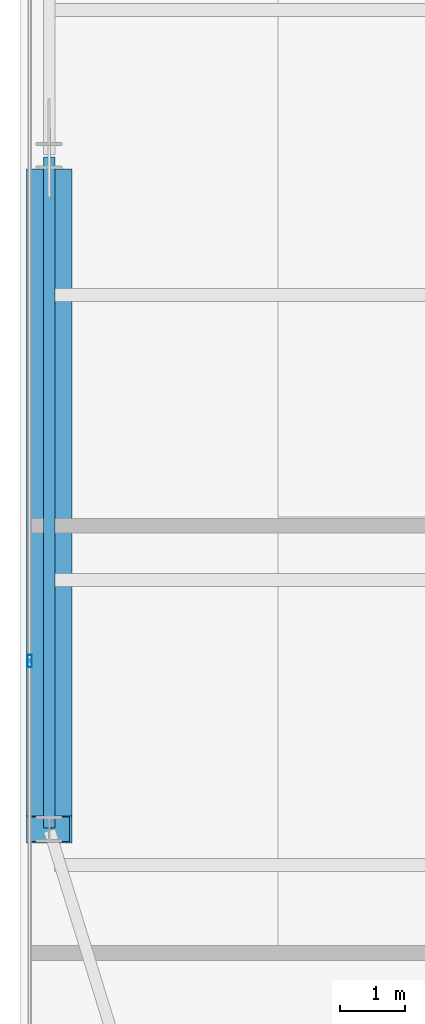
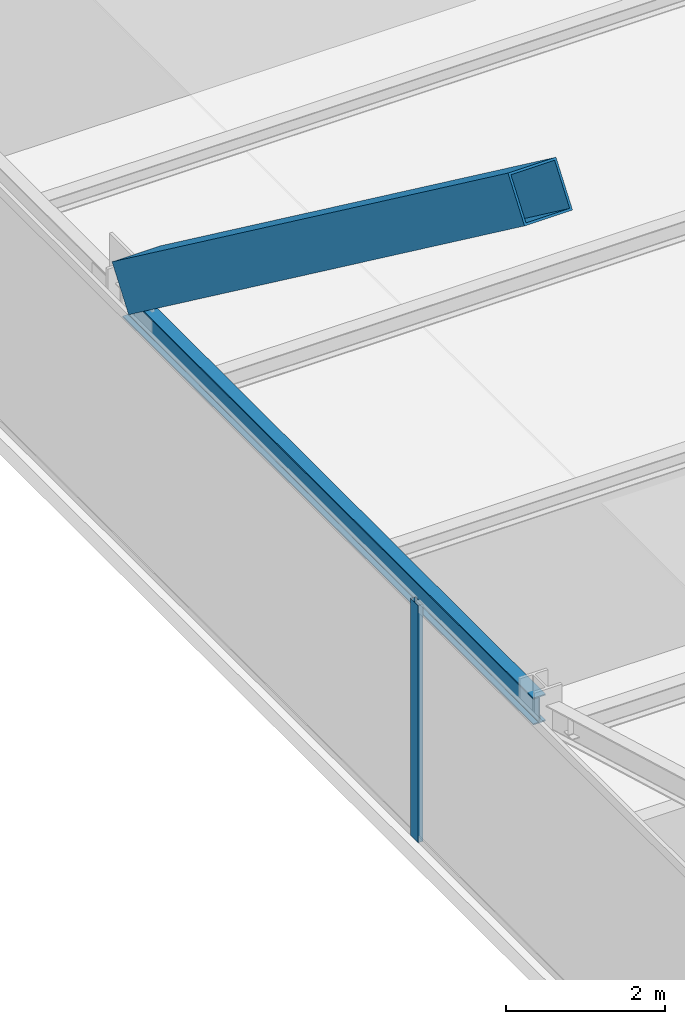
# One storey, part 8 of 34: 2 members, 1 beam, 1 element without a shape of its own.
"""IFC4 building model written with IfcOpenShell, lengths in metres."""

import ifcopenshell
import ifcopenshell.guid

model = None  # the IFC model being written
_history = None  # IfcOwnerHistory: only IFC2X3 demands one
_inside = {}  # id of a spatial element -> (the spatial element, [elements in it])
_under = {}  # id of a project, library or spatial element -> (it, [spatial elements below it])
_declared = {}  # id of a project -> (the project, [libraries it declares])
_typed = {}  # id of a type object -> (the type object, [elements of that type])
_made_of = {}  # id of a material, layer set ... -> (it, [elements and type objects made of it])


def new_model(schema):
    """Start an empty IFC model of exactly this schema.

    Asked for "IFC4X3", IfcOpenShell would pick the latest addendum, in which some entities
    have other attributes; the version numbers below select the first issue.
    IFC2X3 requires an IfcOwnerHistory on every rooted entity: one is made here for all.
    """
    global model, _history
    if schema == "IFC4X3":
        model = ifcopenshell.file(schema_version=(4, 3, 0, 0))
    else:
        model = ifcopenshell.file(schema=schema)
    _inside.clear()
    _under.clear()
    _declared.clear()
    _typed.clear()
    _made_of.clear()
    _history = None
    if model.schema == "IFC2X3":
        org = make("IfcOrganization", Name="unknown")
        user = make(
            "IfcPersonAndOrganization",
            ThePerson=make("IfcPerson", FamilyName="unknown"),
            TheOrganization=org,
        )
        app = make(
            "IfcApplication",
            ApplicationDeveloper=org,
            Version="unknown",
            ApplicationFullName="unknown",
            ApplicationIdentifier="unknown",
        )
        _history = make(
            "IfcOwnerHistory",
            OwningUser=user,
            OwningApplication=app,
            ChangeAction="ADDED",
            CreationDate=0,
        )
    return model


def make(cls, **values):
    """One entity of the class cls with the attributes given. An attribute that is None is left unset."""
    return model.create_entity(
        cls, **{name: value for name, value in values.items() if value is not None}
    )


def rooted(cls, **values):
    """An entity with a GlobalId (a new one), such as an element, a storey or a relation."""
    return make(cls, GlobalId=ifcopenshell.guid.new(), OwnerHistory=_history, **values)


def si_unit(unit_type, name, prefix=None):
    """IfcSIUnit, for example si_unit("LENGTHUNIT", "METRE", prefix="MILLI")."""
    return make("IfcSIUnit", UnitType=unit_type, Prefix=prefix, Name=name)


def assignment(units):
    """IfcUnitAssignment: the units of a project."""
    return None if units is None else make("IfcUnitAssignment", Units=units)


def point(xyz):
    """IfcCartesianPoint."""
    return None if xyz is None else make("IfcCartesianPoint", Coordinates=xyz)


def direction(xyz):
    """IfcDirection."""
    return None if xyz is None else make("IfcDirection", DirectionRatios=xyz)


def frame(location, z_axis=None, x_axis=None):
    """IfcAxis2Placement3D, a coordinate frame: its origin and axes. An axis left out is left unset."""
    return make(
        "IfcAxis2Placement3D",
        Location=point(location),
        Axis=direction(z_axis),
        RefDirection=direction(x_axis),
    )


def frame_2d(location, x_axis=None):
    """IfcAxis2Placement2D, a coordinate frame in the plane: its origin and x axis."""
    return make(
        "IfcAxis2Placement2D", Location=point(location), RefDirection=direction(x_axis)
    )


def origin():
    """The frame at (0, 0, 0) with its axes left unset."""
    return frame((0.0, 0.0, 0.0))


def origin_2d():
    """The frame at (0, 0) in the plane with its x axis left unset."""
    return frame_2d((0.0, 0.0))


def place(relative_to, where):
    """IfcLocalPlacement: puts the frame where relative to a parent placement (None: the world)."""
    return make(
        "IfcLocalPlacement", PlacementRelTo=relative_to, RelativePlacement=where
    )


def context(
    kind, dimensions, precision=None, world=None, true_north=None, identifier=None
):
    """IfcGeometricRepresentationContext, for example the 3D "Model" context."""
    return make(
        "IfcGeometricRepresentationContext",
        ContextIdentifier=identifier,
        ContextType=kind,
        CoordinateSpaceDimension=dimensions,
        Precision=precision,
        WorldCoordinateSystem=world,
        TrueNorth=true_north,
    )


def subcontext(parent, identifier, kind, view, scale=None):
    """IfcGeometricRepresentationSubContext, for example "Body" below "Model"."""
    return make(
        "IfcGeometricRepresentationSubContext",
        ContextIdentifier=identifier,
        ContextType=kind,
        ParentContext=parent,
        TargetScale=scale,
        TargetView=view,
    )


def project(units=None, contexts=None):
    """IfcProject with its units and contexts."""
    return rooted(
        "IfcProject",
        Name="project",
        RepresentationContexts=contexts,
        UnitsInContext=assignment(units),
    )


def spatial(cls, under=None, at=None, **own):
    """A site, building, storey or space (cls), placed at a placement, below another one or the project."""
    s = rooted(cls, ObjectPlacement=at, **own)
    if under is not None:
        _under.setdefault(under.id(), (under, []))[1].append(s)
    return s


def profile(cls, at=None, kind="AREA", **sizes):
    """A parametric profile (cls). Its sizes go by their IFC names, for example OverallWidth=200.0."""
    return make(cls, ProfileType=kind, Position=at, **sizes)


def hollow_rectangle(**sizes):
    """IfcRectangleHollowProfileDef."""
    return profile("IfcRectangleHollowProfileDef", **sizes)


def i_section(**sizes):
    """IfcIShapeProfileDef."""
    return profile("IfcIShapeProfileDef", **sizes)


def extrude(swept, where, along, depth):
    """IfcExtrudedAreaSolid: the profile swept, set in the frame where, extruded along a direction by depth."""
    return make(
        "IfcExtrudedAreaSolid",
        SweptArea=swept,
        Position=where,
        ExtrudedDirection=direction(along),
        Depth=depth,
    )


def shape(context_of_items, identifier, shape_type, items):
    """IfcShapeRepresentation: the items that make up one representation, for example the "Body"."""
    return make(
        "IfcShapeRepresentation",
        ContextOfItems=context_of_items,
        RepresentationIdentifier=identifier,
        RepresentationType=shape_type,
        Items=items,
    )


def source(mapping_origin, context_of_items, identifier, shape_type, items):
    """IfcRepresentationMap: a shape defined once, which mapped items show again and again."""
    return make(
        "IfcRepresentationMap",
        MappingOrigin=mapping_origin,
        MappedRepresentation=shape(context_of_items, identifier, shape_type, items),
    )


def transform(
    local_origin,
    x_axis=None,
    y_axis=None,
    z_axis=None,
    scale=None,
    scale2=None,
    scale3=None,
    uniform=True,
):
    """IfcCartesianTransformationOperator3D, or its non-uniform kind. x_axis, y_axis, z_axis: its Axis1, 2, 3."""
    if uniform:
        return make(
            "IfcCartesianTransformationOperator3D",
            Axis1=direction(x_axis),
            Axis2=direction(y_axis),
            LocalOrigin=point(local_origin),
            Scale=scale,
            Axis3=direction(z_axis),
        )
    return make(
        "IfcCartesianTransformationOperator3DnonUniform",
        Axis1=direction(x_axis),
        Axis2=direction(y_axis),
        LocalOrigin=point(local_origin),
        Scale=scale,
        Axis3=direction(z_axis),
        Scale2=scale2,
        Scale3=scale3,
    )


def mapped(mapping_source, mapping_target):
    """IfcMappedItem: shows the shape of a source again, moved by a transform."""
    return make(
        "IfcMappedItem", MappingSource=mapping_source, MappingTarget=mapping_target
    )


def material(Name=None, Category=None):
    """IfcMaterial."""
    return make("IfcMaterial", Name=Name, Category=Category)


def layer(
    of_material, thickness, ventilated=None, Name=None, Category=None, Priority=None
):
    """IfcMaterialLayer: one layer of a wall or slab, of a material (None: an air gap)."""
    return make(
        "IfcMaterialLayer",
        Material=of_material,
        LayerThickness=thickness,
        IsVentilated=ventilated,
        Name=Name,
        Category=Category,
        Priority=Priority,
    )


def layer_set(layers, Name=None):
    """IfcMaterialLayerSet."""
    return make("IfcMaterialLayerSet", MaterialLayers=layers, LayerSetName=Name)


def material_profile(
    of_material, cross_section, Name=None, Category=None, Priority=None
):
    """IfcMaterialProfile: a cross section and its material."""
    return make(
        "IfcMaterialProfile",
        Name=Name,
        Material=of_material,
        Profile=cross_section,
        Priority=Priority,
        Category=Category,
    )


def profile_set(profiles, Name=None, composite=None):
    """IfcMaterialProfileSet."""
    return make(
        "IfcMaterialProfileSet",
        Name=Name,
        MaterialProfiles=profiles,
        CompositeProfile=composite,
    )


def made_of(thing, what):
    """Note that an element or type object is made of a material, layer set ...; save() writes the relation."""
    if what is not None:
        _made_of.setdefault(what.id(), (what, []))[1].append(thing)
    return thing


def type_object(cls, material=None, **own):
    """A type object (cls), such as IfcWallType, which elements share."""
    return made_of(rooted(cls, **own), material)


def type_shapes(of_type, sources):
    """Give a type object the sources (RepresentationMaps) that its elements show as mapped items."""
    of_type.RepresentationMaps = sources


def element(
    cls,
    number,
    at=None,
    inside=None,
    cuts=None,
    type_object=None,
    material=None,
    context=None,
    identifier="Body",
    shape_type=None,
    held_by="IfcProductDefinitionShape",
    body=None,
    shapes=None,
    **own,
):
    """One element of the class cls, such as IfcWall. Its Tag is "e" and its number.

    at: its placement. inside: the storey or other place that contains it. cuts: it is an
    opening in that element (IfcRelVoidsElement). A single representation is given by context,
    identifier, shape_type and body (its items); several are given by shapes. held_by: the class
    of the entity that holds the representations. save() writes the other relations.
    """
    e = rooted(cls, Tag="e%d" % number, ObjectPlacement=at, **own)
    if body is not None:
        shapes = [shape(context, identifier, shape_type, body)]
    if shapes is not None:
        e.Representation = make(held_by, Representations=shapes)
    if inside is not None:
        _inside.setdefault(inside.id(), (inside, []))[1].append(e)
    if cuts is not None:
        rooted(
            "IfcRelVoidsElement", RelatingBuildingElement=cuts, RelatedOpeningElement=e
        )
    if type_object is not None:
        _typed.setdefault(type_object.id(), (type_object, []))[1].append(e)
    return made_of(e, material)


def aggregate(whole, parts):
    """IfcRelAggregates: a whole, such as a stair, and the parts it consists of."""
    return rooted("IfcRelAggregates", RelatingObject=whole, RelatedObjects=parts)


def save(model, path):
    """Write the relations noted so far, then the file.

    IfcRelAggregates (storeys below a building ...), IfcRelContainedInSpatialStructure (elements
    in a storey), IfcRelDefinesByType, IfcRelAssociatesMaterial and IfcRelDeclares: one each for
    every whole, place, type object, material and project.
    """
    for whole, parts in _under.values():
        aggregate(whole, parts)
    for where, things in _inside.values():
        rooted(
            "IfcRelContainedInSpatialStructure",
            RelatedElements=things,
            RelatingStructure=where,
        )
    for kind, things in _typed.values():
        rooted("IfcRelDefinesByType", RelatedObjects=things, RelatingType=kind)
    for what, things in _made_of.values():
        rooted("IfcRelAssociatesMaterial", RelatedObjects=things, RelatingMaterial=what)
    for by, libraries in _declared.values():
        rooted("IfcRelDeclares", RelatingContext=by, RelatedDefinitions=libraries)
    model.write(path)


model = new_model("IFC4")

# Units and contexts
model_context = context("Model", 3, precision=1e-05, world=origin(), true_north=direction((0.0, 1.0)))
body_context = subcontext(model_context, "Body", "Model", "MODEL_VIEW")
ifc_project = project(units=[si_unit("LENGTHUNIT", "METRE"), si_unit("AREAUNIT", "SQUARE_METRE"), si_unit("VOLUMEUNIT", "CUBIC_METRE"), si_unit("PLANEANGLEUNIT", "RADIAN"), si_unit("MASSUNIT", "GRAM", prefix="KILO")], contexts=[model_context])

# Site, building, storey
site_placement = place(None, origin())
site = spatial("IfcSite", under=ifc_project, at=site_placement, CompositionType="ELEMENT")
building_placement = place(site_placement, origin())
building = spatial("IfcBuilding", under=site, at=building_placement, Name="Varnel Quay Broadcast Tower", CompositionType="ELEMENT")
storey_placement = place(building_placement, frame((0.0, 0.0, 47.10009765625)))
storey = spatial("IfcBuildingStorey", under=building, at=storey_placement, Name="L10", CompositionType="ELEMENT", Elevation=47.10009765625)

# Beam
ifc_material_1 = material(Name="Structural Steel CSA G40.21 350W", Category="steel")
ifc_material_profile_1 = material_profile(ifc_material_1, i_section(OverallWidth=0.180908203125, OverallDepth=0.4169921875, WebThickness=0.010986328125, FlangeThickness=0.018310546875, FilletRadius=0.011962890625, at=origin_2d()), Name="W410X85")
ifc_profile_set_1 = profile_set([ifc_material_profile_1], Name="Structural Steel CSA G40.21 350W")
beam_type = type_object("IfcBeamType", Name="Beam_W410X85", PredefinedType="SPANDREL", material=ifc_profile_set_1)
shared_shape_1 = source(origin(), body_context, "Body", "SweptSolid", [
    extrude(i_section(OverallWidth=0.180908203125, OverallDepth=0.4169921875, WebThickness=0.010986328125, FlangeThickness=0.018310546875, FilletRadius=0.011962890625, at=origin_2d()), origin(), (0.0, 0.0, 1.0), 10.35986328125),
])
type_shapes(beam_type, [shared_shape_1])
beam_placement = place(storey_placement, frame((2.449951171875, 15.02001953125, 3.44140625), z_axis=(0.0, 1.0, 0.0), x_axis=(-1.0, 0.0, 0.0)))
element("IfcBeam", 1, at=beam_placement, inside=storey, type_object=beam_type, Name="L10 West Spandrel TC-W1-TC-W2", PredefinedType="SPANDREL", context=body_context, shape_type="MappedRepresentation", body=[
    mapped(shared_shape_1, transform((0.0, 0.0, 0.0), x_axis=(1.0, 0.0, 0.0), y_axis=(0.0, 1.0, 0.0), z_axis=(0.0, 0.0, 1.0), scale=1.0)),
])

# Member
ifc_material_2 = material(Name="Structural Steel CSA G40.21 350WT", Category="steel")
ifc_material_profile_2 = material_profile(ifc_material_2, hollow_rectangle(XDim=0.699951171875, YDim=0.699951171875, WallThickness=0.031982421875, at=origin_2d()), Name="BOX700X700X32")
ifc_profile_set_2 = profile_set([ifc_material_profile_2], Name="Structural Steel CSA G40.21 350WT")
member_type_1 = type_object("IfcMemberType", Name="Brace_BOX700X700X32", PredefinedType="BRACE", material=ifc_profile_set_2)
shared_shape_2 = source(origin(), body_context, "Body", "SweptSolid", [
    extrude(hollow_rectangle(XDim=0.699951171875, YDim=0.699951171875, WallThickness=0.031982421875, at=origin_2d()), origin(), (0.0, 0.0, 1.0), 12.442626953125),
])
type_shapes(member_type_1, [shared_shape_2])
member_1_placement = place(storey_placement, frame((2.449951171875, 24.986572265625, 4.0078125), z_axis=(0.0, -0.802608305206, 0.596506419425), x_axis=(1.0, 0.0, 0.0)))
element("IfcMember", 2, at=member_1_placement, inside=storey, type_object=member_type_1, Name="Zone 1 Mega-Brace W-FT2 Split Diag B2", PredefinedType="BRACE", context=body_context, shape_type="MappedRepresentation", body=[
    mapped(shared_shape_2, transform((0.0, 0.0, 0.0), x_axis=(1.0, 0.0, 0.0), y_axis=(0.0, 1.0, 0.0), z_axis=(0.0, 0.0, 1.0), scale=1.0)),
])

# Curtain wall, member
ifc_material_3 = material(Name="Anodised Bronze Aluminium 6063-T6", Category="aluminium")
ifc_layer = layer(ifc_material_3, 0.18994140625, Name="Anodised Bronze Aluminium 6063-T6")
ifc_layer_set = layer_set([ifc_layer], Name="Anodised Bronze Aluminium 6063-T6")
curtain_wall_type = type_object("IfcCurtainWallType", Name="CW_LowerTower", PredefinedType="NOTDEFINED", material=ifc_layer_set)
curtain_wall_placement = place(storey_placement, origin())
curtain_wall = element("IfcCurtainWall", 3, at=curtain_wall_placement, inside=storey, type_object=curtain_wall_type, Name="L10 West Unitised Curtain Wall", PredefinedType="NOTDEFINED")
ifc_material_profile_3 = material_profile(ifc_material_3, hollow_rectangle(XDim=0.070068359375, YDim=0.18994140625, WallThickness=0.00390625, at=origin_2d()), Name="ALU70X190X4")
ifc_profile_set_3 = profile_set([ifc_material_profile_3], Name="Anodised Bronze Aluminium 6063-T6")
member_type_2 = type_object("IfcMemberType", Name="Mull_CWS-02", PredefinedType="MULLION", material=ifc_profile_set_3)
shared_shape_3 = source(origin(), body_context, "Body", "SweptSolid", [
    extrude(hollow_rectangle(XDim=0.070068359375, YDim=0.18994140625, WallThickness=0.00390625, at=origin_2d()), origin(), (0.0, 0.0, 1.0), 3.64990234375),
])
type_shapes(member_type_2, [shared_shape_3])
member_2_placement = place(storey_placement, frame((2.14990234375, 17.60009765625, 0.0), z_axis=(0.0, 0.0, 1.0), x_axis=(-1.0, 0.0, 0.0)))
member_2 = element("IfcMember", 4, at=member_2_placement, type_object=member_type_2, Name="CWS-02 mullion 2", PredefinedType="MULLION", context=body_context, shape_type="MappedRepresentation", body=[
    mapped(shared_shape_3, transform((0.0, 0.0, 0.0), x_axis=(1.0, 0.0, 0.0), y_axis=(0.0, 1.0, 0.0), z_axis=(0.0, 0.0, 1.0), scale=1.0)),
])
aggregate(curtain_wall, [member_2])

save(model, "model.ifc")
